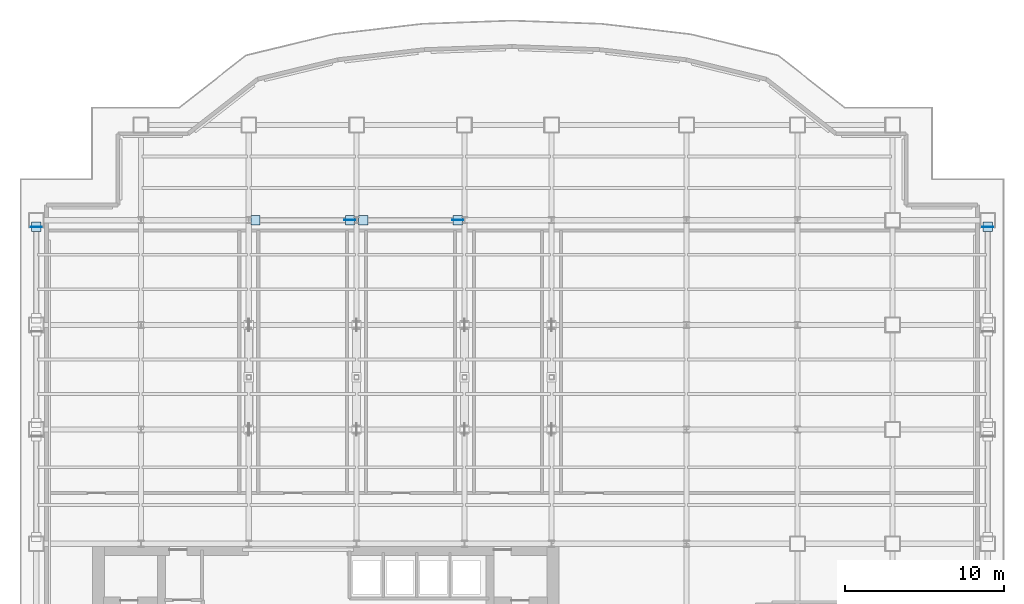
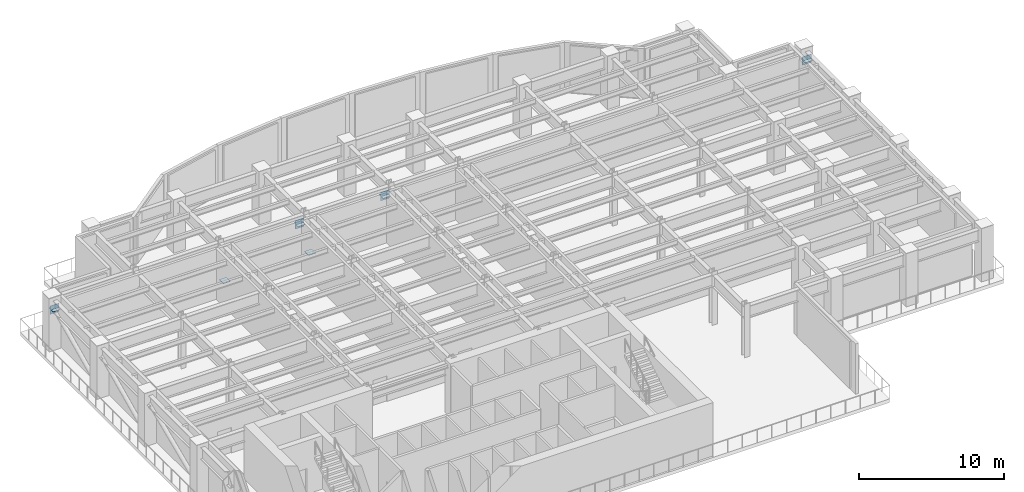
# One storey, part 9 of 14: 10 plates.
"""IFC4 building model written with IfcOpenShell, lengths in metres."""

from ifc_helpers import new_model, si_unit, derived_unit, direction, frame, origin, origin_2d, place, context, subcontext, project, spatial, rectangle, extrude, source, transform, mapped, material, layer, layer_set, type_object, element, save


model = new_model("IFC4")

# Units and contexts
model_context = context("Model", 3, precision=1e-05, world=origin(), true_north=direction((0.0, 1.0)))
body_context = subcontext(model_context, "Body", "Model", "MODEL_VIEW")
ifc_project = project(units=[si_unit("LENGTHUNIT", "METRE"), si_unit("AREAUNIT", "SQUARE_METRE"), si_unit("VOLUMEUNIT", "CUBIC_METRE"), si_unit("PLANEANGLEUNIT", "RADIAN"), si_unit("MASSUNIT", "GRAM", prefix="KILO"), derived_unit("THERMALTRANSMITTANCEUNIT", [(si_unit("POWERUNIT", "WATT"), 1), (si_unit("LENGTHUNIT", "METRE"), -2), (si_unit("THERMODYNAMICTEMPERATUREUNIT", "KELVIN"), -1)])], contexts=[model_context])

# Site, building, storey
site_placement = place(None, origin())
site = spatial("IfcSite", under=ifc_project, at=site_placement, CompositionType="ELEMENT")
building_placement = place(site_placement, origin())
building = spatial("IfcBuilding", under=site, at=building_placement, Name="Skarnbrae Concourse Arena and Tower", CompositionType="ELEMENT")
storey_placement = place(building_placement, frame((0.0, 0.0, 84.14990234375)))
storey = spatial("IfcBuildingStorey", under=building, at=storey_placement, Name="L20", CompositionType="ELEMENT", Elevation=84.14990234375)

# Plates
ifc_material = material(Name="Steel CSA G40.21 350W", Category="steel")
ifc_layer_1 = layer(ifc_material, 0.031982421875)
ifc_layer_set_1 = layer_set([ifc_layer_1], Name="Steel CSA G40.21 350W")
plate_type_1 = type_object("IfcPlateType", Name="PLT-CAP-HOLLOW", PredefinedType="USERDEFINED", material=ifc_layer_set_1)
shared_shape_1 = source(origin(), body_context, "Body", "SweptSolid", [
    extrude(rectangle(XDim=0.580078125, YDim=0.580078125, at=origin_2d()), origin(), (0.0, 0.0, 1.0), 0.031982421875),
])
for number, where, z_axis, x_axis, name in (
    (1, (1.0, 33.983642578125, 3.4384765625), (0.0, 0.0, 1.0), (1.0, 0.0, 0.0), "L20 Belt truss cap plate B03B"),
    (2, (61.0, 33.983642578125, 3.4384765625), (0.0, 0.0, 1.0), (1.0, 0.0, 0.0), "L20 Belt truss cap plate B06B"),
    (3, (14.818603515625, 34.39990234375, 0.72509765625), (0.0, 0.0, 1.0), (1.0, 0.0, 0.0), "L20 Belt truss cap plate B07A"),
    (4, (20.781494140625, 34.39990234375, 3.443359375), (0.0, 0.0, 1.0), (1.0, 0.0, 0.0), "L20 Belt truss cap plate B07B"),
    (5, (21.61865234375, 34.39990234375, 0.72509765625), (0.0, 0.0, 1.0), (1.0, 0.0, 0.0), "L20 Belt truss cap plate B08A"),
    (6, (27.581298828125, 34.39990234375, 3.443359375), (0.0, 0.0, 1.0), (1.0, 0.0, 0.0), "L20 Belt truss cap plate B08B"),
):
    element("IfcPlate", number, at=place(storey_placement, frame(where, z_axis=z_axis, x_axis=x_axis)), inside=storey, type_object=plate_type_1, Name=name, ObjectType="CAP PLATE", PredefinedType="USERDEFINED", context=body_context, shape_type="MappedRepresentation", body=[
        mapped(shared_shape_1, transform((0.0, 0.0, 0.0))),
    ])
ifc_layer_2 = layer(ifc_material, 0.034912109375)
ifc_layer_set_2 = layer_set([ifc_layer_2], Name="Steel CSA G40.21 350W")
plate_type_2 = type_object("IfcPlateType", Name="PLT-NODE-BELT", PredefinedType="USERDEFINED", material=ifc_layer_set_2)
shared_shape_2 = source(origin(), body_context, "Body", "SweptSolid", [
    extrude(rectangle(XDim=0.699951171875, YDim=0.034912109375, at=origin_2d()), origin(), (0.0, 0.0, 1.0), 0.699951171875),
])
for number, where, z_axis, x_axis, name in (
    (7, (1.0, 33.983642578125, 3.1044921875), (0.0, 0.0, 1.0), (1.0, 0.0, 0.0), "L20 Belt truss node gusset plate ND-BT-01 #03"),
    (8, (61.0, 33.983642578125, 3.1044921875), (0.0, 0.0, 1.0), (1.0, 0.0, 0.0), "L20 Belt truss node gusset plate ND-BT-01 #06"),
    (9, (20.781494140625, 34.39990234375, 3.109375), (0.0, 0.0, 1.0), (1.0, 0.0, 0.0), "L20 Belt truss node gusset plate ND-BT-01 #07"),
    (10, (27.581298828125, 34.39990234375, 3.109375), (0.0, 0.0, 1.0), (1.0, 0.0, 0.0), "L20 Belt truss node gusset plate ND-BT-01 #08"),
):
    element("IfcPlate", number, at=place(storey_placement, frame(where, z_axis=z_axis, x_axis=x_axis)), inside=storey, type_object=plate_type_2, Name=name, ObjectType="GUSSET PLATE", PredefinedType="USERDEFINED", context=body_context, shape_type="MappedRepresentation", body=[
        mapped(shared_shape_2, transform((0.0, 0.0, 0.0))),
    ])

save(model, "model.ifc")
